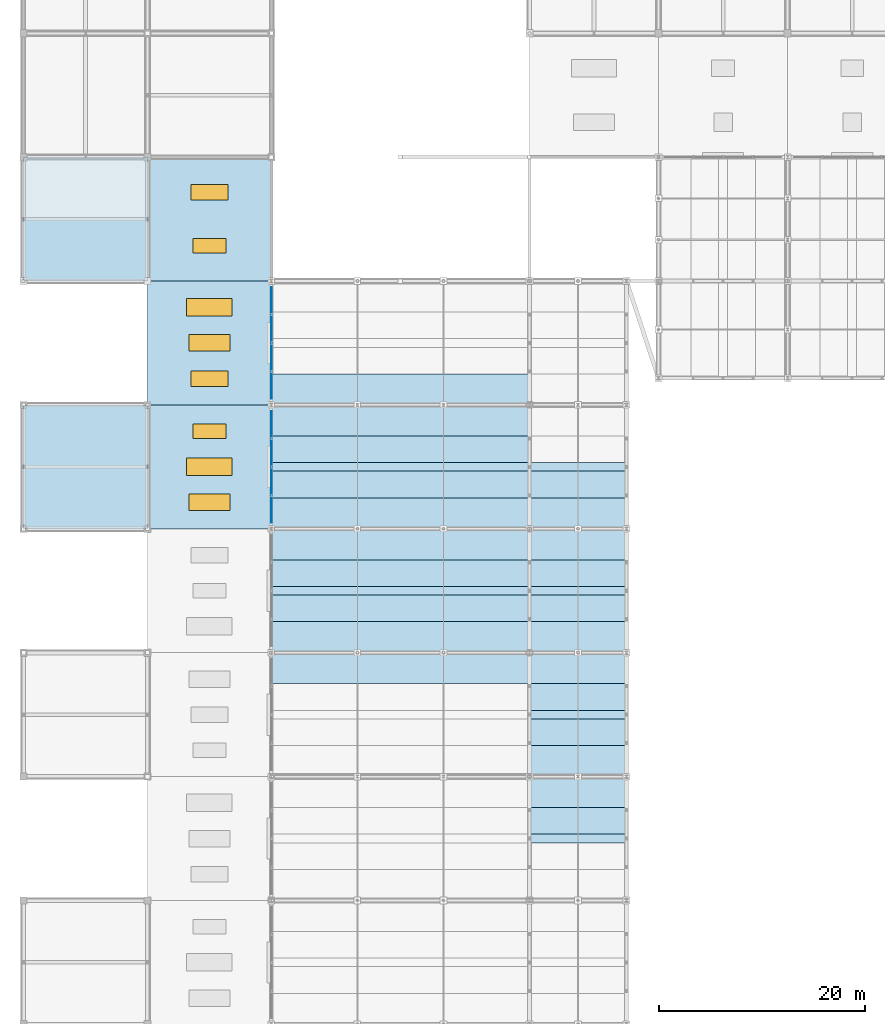
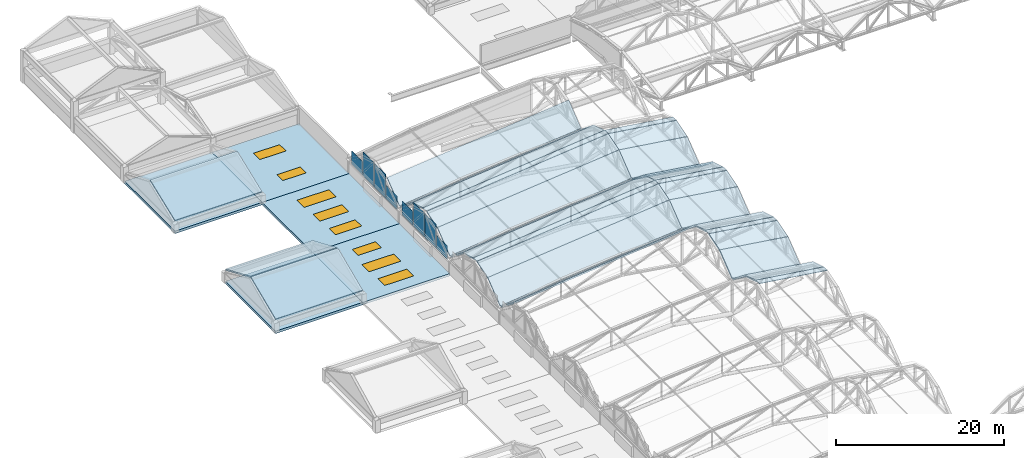
"""IFC4 building model written with IfcOpenShell, lengths in metres."""

from ifc_helpers import new_model, si_unit, direction, frame, origin, origin_2d, place, context, subcontext, project, spatial, polyline, rectangle, outline, extrude, material, layer, layer_set, type_object, element, fill, save


model = new_model("IFC4")

# Units and contexts
model_context = context("Model", 3, precision=1e-05, world=origin(), true_north=direction((0.0, 1.0)))
body_context = subcontext(model_context, "Body", "Model", "MODEL_VIEW")
ifc_project = project(units=[si_unit("LENGTHUNIT", "METRE"), si_unit("AREAUNIT", "SQUARE_METRE"), si_unit("VOLUMEUNIT", "CUBIC_METRE"), si_unit("PLANEANGLEUNIT", "RADIAN"), si_unit("MASSUNIT", "GRAM", prefix="KILO")], contexts=[model_context])

# Site, building, storey
site_placement = place(None, origin())
site = spatial("IfcSite", under=ifc_project, at=site_placement, CompositionType="ELEMENT")
building_placement = place(site_placement, origin())
building = spatial("IfcBuilding", under=site, at=building_placement, Name="Kazenohara Klinker Stadium", CompositionType="ELEMENT")
storey_1_placement = place(building_placement, frame((0.0, 0.0, 31.199951171875)))
storey_1 = spatial("IfcBuildingStorey", under=building, at=storey_1_placement, Name="RF", CompositionType="ELEMENT", Elevation=31.199951171875)

# Plates
ifc_material_1 = material(Name="Low-e laminated triple glazing", Category="glass")
ifc_layer_1 = layer(ifc_material_1, 0.0439453125)
ifc_layer_set_1 = layer_set([ifc_layer_1], Name="Low-e laminated triple glazing")
plate_type_1 = type_object("IfcPlateType", Name="PLT-GLZ-CLER", PredefinedType="USERDEFINED", material=ifc_layer_set_1)
plate_1_placement = place(storey_1_placement, frame((24.0, 109.889892578125, 1.650146484375), z_axis=(0.0, 0.0, 1.0), x_axis=(1.0, 0.0, 0.0)))
element("IfcPlate", 1, at=plate_1_placement, inside=storey_1, type_object=plate_type_1, Name="Arched barrel clerestory glazing panel CP02 W-06-Q1", ObjectType="CLERESTORY GLAZING", PredefinedType="USERDEFINED", context=body_context, shape_type="SweptSolid", body=[
    extrude(rectangle(XDim=0.0439453125, YDim=2.580078125, at=origin_2d()), origin(), (0.0, 0.0, 1.0), 2.0),
])
for number, where, z_axis, x_axis, name in (
    (2, (24.0, 112.6201171875, 1.650146484375), (0.0, 0.0, 1.0), (1.0, 0.0, 0.0), "Arched barrel clerestory glazing panel CP02 W-06-Q2"),
    (3, (24.0, 115.3798828125, 1.650146484375), (0.0, 0.0, 1.0), (1.0, 0.0, 0.0), "Arched barrel clerestory glazing panel CP02 W-06-Q3"),
):
    element("IfcPlate", number, at=place(storey_1_placement, frame(where, z_axis=z_axis, x_axis=x_axis)), inside=storey_1, type_object=plate_type_1, Name=name, ObjectType="CLERESTORY GLAZING", PredefinedType="USERDEFINED", context=body_context, shape_type="SweptSolid", body=[
        extrude(rectangle(XDim=0.0439453125, YDim=2.639892578125, at=origin_2d()), origin(), (0.0, 0.0, 1.0), 3.5),
    ])
for number, where, z_axis, x_axis, name in (
    (4, (24.0, 118.110107421875, 1.650146484375), (0.0, 0.0, 1.0), (1.0, 0.0, 0.0), "Arched barrel clerestory glazing panel CP02 W-06-Q4"),
    (5, (24.0, 121.889892578125, 1.650146484375), (0.0, 0.0, 1.0), (1.0, 0.0, 0.0), "Arched barrel clerestory glazing panel CP02 W-07-Q1"),
):
    element("IfcPlate", number, at=place(storey_1_placement, frame(where, z_axis=z_axis, x_axis=x_axis)), inside=storey_1, type_object=plate_type_1, Name=name, ObjectType="CLERESTORY GLAZING", PredefinedType="USERDEFINED", context=body_context, shape_type="SweptSolid", body=[
        extrude(rectangle(XDim=0.0439453125, YDim=2.580078125, at=origin_2d()), origin(), (0.0, 0.0, 1.0), 2.0),
    ])
for number, where, z_axis, x_axis, name in (
    (6, (24.0, 124.6201171875, 1.650146484375), (0.0, 0.0, 1.0), (1.0, 0.0, 0.0), "Arched barrel clerestory glazing panel CP02 W-07-Q2"),
    (7, (24.0, 127.3798828125, 1.650146484375), (0.0, 0.0, 1.0), (1.0, 0.0, 0.0), "Arched barrel clerestory glazing panel CP02 W-07-Q3"),
):
    element("IfcPlate", number, at=place(storey_1_placement, frame(where, z_axis=z_axis, x_axis=x_axis)), inside=storey_1, type_object=plate_type_1, Name=name, ObjectType="CLERESTORY GLAZING", PredefinedType="USERDEFINED", context=body_context, shape_type="SweptSolid", body=[
        extrude(rectangle(XDim=0.0439453125, YDim=2.639892578125, at=origin_2d()), origin(), (0.0, 0.0, 1.0), 3.5),
    ])
plate_2_placement = place(storey_1_placement, frame((24.0, 130.110107421875, 1.650146484375), z_axis=(0.0, 0.0, 1.0), x_axis=(1.0, 0.0, 0.0)))
element("IfcPlate", 8, at=plate_2_placement, inside=storey_1, type_object=plate_type_1, Name="Arched barrel clerestory glazing panel CP02 W-07-Q4", ObjectType="CLERESTORY GLAZING", PredefinedType="USERDEFINED", context=body_context, shape_type="SweptSolid", body=[
    extrude(rectangle(XDim=0.0439453125, YDim=2.580078125, at=origin_2d()), origin(), (0.0, 0.0, 1.0), 2.0),
])
ifc_material_2 = material(Name="Low-e laminated skylight triple glazing", Category="glass")
ifc_layer_2 = layer(ifc_material_2, 0.048095703125)
ifc_layer_set_2 = layer_set([ifc_layer_2], Name="Low-e laminated skylight triple glazing")
plate_type_2 = type_object("IfcPlateType", Name="PLT-GLZ-VALLEY", PredefinedType="USERDEFINED", material=ifc_layer_set_2)
for number, where, z_axis, x_axis, name in (
    (9, (49.0, 77.580078125, 8.219970703125), (0.142144768244, 0.0, 0.989845879347), (0.989845879347, 0.0, -0.142144768244), "Barrel-shell valley skylight glazing joint SKG1 W-03-IN"),
    (10, (49.0, 89.580078125, 8.219970703125), (0.142144768244, 0.0, 0.989845879347), (0.989845879347, 0.0, -0.142144768244), "Barrel-shell valley skylight glazing joint SKG1 W-04-IN"),
):
    element("IfcPlate", number, at=place(storey_1_placement, frame(where, z_axis=z_axis, x_axis=x_axis)), inside=storey_1, type_object=plate_type_2, Name=name, ObjectType="SKYLIGHT GLAZING", PredefinedType="USERDEFINED", context=body_context, shape_type="SweptSolid", body=[
        extrude(outline(polyline([(0.0, 0.0), (9.496329216369972, 0.0), (9.496329216369972, 0.83984375), (0.0, 0.83984375), (0.0, 0.0)])), origin(), (0.0, 0.0, -1.0), 0.048095703125),
    ])
plate_3_placement = place(storey_1_placement, frame((24.0, 101.580078125, 5.670166015625), z_axis=(-0.101465808577, 0.0, 0.994839027024), x_axis=(0.994839027024, 0.0, 0.101465808577)))
element("IfcPlate", 11, at=plate_3_placement, inside=storey_1, type_object=plate_type_2, Name="Barrel-shell valley skylight glazing joint SKG1 W-05-OUT", ObjectType="SKYLIGHT GLAZING", PredefinedType="USERDEFINED", context=body_context, shape_type="SweptSolid", body=[
    extrude(outline(polyline([(0.0, 0.0), (25.129693669927555, 0.0), (25.129693669927555, 0.8398437499999999), (0.0, 0.8398437499999999), (0.0, 0.0)])), origin(), (0.0, 0.0, -1.0), 0.048095703125),
])
plate_4_placement = place(storey_1_placement, frame((49.0, 101.580078125, 8.219970703125), z_axis=(0.142144768244, 0.0, 0.989845879347), x_axis=(0.989845879347, 0.0, -0.142144768244)))
element("IfcPlate", 12, at=plate_4_placement, inside=storey_1, type_object=plate_type_2, Name="Barrel-shell valley skylight glazing joint SKG1 W-05-IN", ObjectType="SKYLIGHT GLAZING", PredefinedType="USERDEFINED", context=body_context, shape_type="SweptSolid", body=[
    extrude(outline(polyline([(0.0, 0.0), (9.496329216369972, 0.0), (9.496329216369972, 0.83984375), (0.0, 0.83984375), (0.0, 0.0)])), origin(), (0.0, 0.0, -1.0), 0.048095703125),
])
plate_5_placement = place(storey_1_placement, frame((24.0, 113.580078125, 5.670166015625), z_axis=(-0.101465808577, 0.0, 0.994839027024), x_axis=(0.994839027024, 0.0, 0.101465808577)))
element("IfcPlate", 13, at=plate_5_placement, inside=storey_1, type_object=plate_type_2, Name="Barrel-shell valley skylight glazing joint SKG1 W-06-OUT", ObjectType="SKYLIGHT GLAZING", PredefinedType="USERDEFINED", context=body_context, shape_type="SweptSolid", body=[
    extrude(outline(polyline([(0.0, 0.0), (25.129693669927555, 0.0), (25.129693669927555, 0.8398437499999999), (0.0, 0.8398437499999999), (0.0, 0.0)])), origin(), (0.0, 0.0, -1.0), 0.048095703125),
])
plate_6_placement = place(storey_1_placement, frame((49.0, 113.580078125, 8.219970703125), z_axis=(0.142144768244, 0.0, 0.989845879347), x_axis=(0.989845879347, 0.0, -0.142144768244)))
element("IfcPlate", 14, at=plate_6_placement, inside=storey_1, type_object=plate_type_2, Name="Barrel-shell valley skylight glazing joint SKG1 W-06-IN", ObjectType="SKYLIGHT GLAZING", PredefinedType="USERDEFINED", context=body_context, shape_type="SweptSolid", body=[
    extrude(outline(polyline([(0.0, 0.0), (9.496329216369972, 0.0), (9.496329216369972, 0.83984375), (0.0, 0.83984375), (0.0, 0.0)])), origin(), (0.0, 0.0, -1.0), 0.048095703125),
])

# Slabs
ifc_material_3 = material(Name="Steel S355", Category="steel")
ifc_layer_3 = layer(ifc_material_3, 0.18994140625)
ifc_layer_set_3 = layer_set([ifc_layer_3], Name="Steel S355")
slab_type_1 = type_object("IfcSlabType", Name="SLB-ROOF-190", PredefinedType="ROOF", material=ifc_layer_set_3)
for number, where, z_axis, x_axis, name in (
    (15, (0.0, 108.0, 1.77001953125), (0.0, -0.394201684587, 0.919023956091), (1.0, 0.0, 0.0), "Pitched turret crown roof slab RS03 WBST-09-A"),
    (16, (0.0, 114.054931640625, 4.320068359375), (0.0, 0.394201684587, 0.919023956091), (1.0, 0.0, 0.0), "Pitched turret crown roof slab RS03 WBST-09-B"),
):
    element("IfcSlab", number, at=place(storey_1_placement, frame(where, z_axis=z_axis, x_axis=x_axis)), inside=storey_1, type_object=slab_type_1, Name=name, PredefinedType="ROOF", context=body_context, shape_type="SweptSolid", body=[
        extrude(outline(polyline([(0.0, 0.0), (12.0, 0.0), (12.0, 6.468893786688991), (0.0, 6.468893786688991), (0.0, 0.0)])), origin(), (0.0, 0.0, -1.0), 0.18994140625),
    ])
slab_1_placement = place(storey_1_placement, frame((0.0, 132.0, 1.570068359375), z_axis=(0.0, -0.360821106656, 0.932635045981), x_axis=(1.0, 0.0, 0.0)))
element("IfcSlab", 17, at=slab_1_placement, inside=storey_1, type_object=slab_type_1, Name="Pitched turret crown roof slab RS03 WBST-11-A", PredefinedType="ROOF", context=body_context, shape_type="SweptSolid", body=[
    extrude(outline(polyline([(0.0, 0.0), (12.0, 0.0), (12.0, 6.37448526623138), (0.0, 6.37448526623138), (0.0, 0.0)])), origin(), (0.0, 0.0, -1.0), 0.18994140625),
])
slab_2_placement = place(storey_1_placement, frame((49.0, 78.384033203125, 8.219970703125), z_axis=(0.136061259308, 0.289700944037, 0.947396800047), x_axis=(0.989844222428, -3.528061e-06, -0.142156305924)))
element("IfcSlab", 18, at=slab_2_placement, inside=storey_1, type_object=slab_type_1, Name="Scalloped barrel-arch canopy slab W-03 inner strip 3", PredefinedType="ROOF", context=body_context, shape_type="SweptSolid", body=[
    extrude(outline(polyline([(0.0, 0.0), (9.496329215665769, 1.1102230246251565e-16), (9.61005197233993, 2.7332082853263064), (0.11368805054478547, 2.7331382757350666), (0.0, 0.0)])), origin(), (0.0, 0.0, -1.0), 0.18994140625),
])
slab_3_placement = place(storey_1_placement, frame((49.0, 81.0, 7.420166015625), z_axis=(0.111454741468, 0.620818608848, 0.775991040871), x_axis=(0.989842261755, 0.0, -0.1421699576)))
element("IfcSlab", 19, at=slab_3_placement, inside=storey_1, type_object=slab_type_1, Name="Scalloped barrel-arch canopy slab W-03 inner strip 4", PredefinedType="ROOF", context=body_context, shape_type="SweptSolid", body=[
    extrude(outline(polyline([(0.0, 0.0), (9.496363922757409, 0.0), (9.830754882600127, 3.750144135328325), (0.33439095984271777, 3.750144135328325), (0.0, 0.0)])), origin(), (0.0, 0.0, -1.0), 0.18994140625),
])
slab_4_placement = place(storey_1_placement, frame((49.0, 84.06005859375, 5.068115234375), z_axis=(0.111454741468, -0.620818608848, 0.775991040871), x_axis=(0.989842261755, 0.0, -0.1421699576)))
element("IfcSlab", 20, at=slab_4_placement, inside=storey_1, type_object=slab_type_1, Name="Scalloped barrel-arch canopy slab W-04 inner strip 1", PredefinedType="ROOF", context=body_context, shape_type="SweptSolid", body=[
    extrude(outline(polyline([(0.0, 0.0), (9.496363922757409, 0.0), (9.16197296291469, 3.750144135328325), (-0.33439095984271777, 3.750144135328325), (0.0, 0.0)])), origin(), (0.0, 0.0, -1.0), 0.18994140625),
])
slab_5_placement = place(storey_1_placement, frame((49.0, 87.0, 7.420166015625), z_axis=(0.136061259308, -0.289700944037, 0.947396800047), x_axis=(0.989843918815, -3.528048e-06, -0.142158419982)))
element("IfcSlab", 21, at=slab_5_placement, inside=storey_1, type_object=slab_type_1, Name="Scalloped barrel-arch canopy slab W-04 inner strip 2", PredefinedType="ROOF", context=body_context, shape_type="SweptSolid", body=[
    extrude(outline(polyline([(0.0, 0.0), (9.49636392205321, 0.0), (9.382621015480932, 2.733207446859171), (-0.11370819992677195, 2.733137437523795), (0.0, 0.0)])), origin(), (0.0, 0.0, -1.0), 0.18994140625),
])
slab_6_placement = place(storey_1_placement, frame((49.0, 90.384033203125, 8.219970703125), z_axis=(0.136061259308, 0.289700944037, 0.947396800047), x_axis=(0.989844222428, -3.528061e-06, -0.142156305924)))
element("IfcSlab", 22, at=slab_6_placement, inside=storey_1, type_object=slab_type_1, Name="Scalloped barrel-arch canopy slab W-04 inner strip 3", PredefinedType="ROOF", context=body_context, shape_type="SweptSolid", body=[
    extrude(outline(polyline([(0.0, 0.0), (9.496329215665769, 1.1102230246251565e-16), (9.61005197233993, 2.7332082853263064), (0.11368805054478547, 2.7331382757350666), (0.0, 0.0)])), origin(), (0.0, 0.0, -1.0), 0.18994140625),
])
slab_7_placement = place(storey_1_placement, frame((24.0, 93.0, 4.8701171875), z_axis=(-0.079397405078, 0.622738677702, 0.778391027287), x_axis=(0.994838046303, 0.0, 0.101475423766)))
element("IfcSlab", 23, at=slab_7_placement, inside=storey_1, type_object=slab_type_1, Name="Scalloped barrel-arch canopy slab W-04 outer strip 4", PredefinedType="ROOF", context=body_context, shape_type="SweptSolid", body=[
    extrude(outline(polyline([(0.0, 0.0), (25.129718443027205, 0.0), (24.891043093280846, 3.7574502561158964), (-0.2386753497463593, 3.757450256115897), (0.0, 0.0)])), origin(), (0.0, 0.0, -1.0), 0.18994140625),
])
slab_8_placement = place(storey_1_placement, frame((49.0, 93.0, 7.420166015625), z_axis=(0.111454741468, 0.620818608848, 0.775991040871), x_axis=(0.989842261755, 0.0, -0.1421699576)))
element("IfcSlab", 24, at=slab_8_placement, inside=storey_1, type_object=slab_type_1, Name="Scalloped barrel-arch canopy slab W-04 inner strip 4", PredefinedType="ROOF", context=body_context, shape_type="SweptSolid", body=[
    extrude(outline(polyline([(0.0, 0.0), (9.496363922757409, 0.0), (9.830754882600127, 3.750144135328325), (0.33439095984271777, 3.750144135328325), (0.0, 0.0)])), origin(), (0.0, 0.0, -1.0), 0.18994140625),
])
slab_9_placement = place(storey_1_placement, frame((24.0, 96.06005859375, 2.51806640625), z_axis=(-0.079397405078, -0.622738677702, 0.778391027287), x_axis=(0.994838046303, 0.0, 0.101475423766)))
element("IfcSlab", 25, at=slab_9_placement, inside=storey_1, type_object=slab_type_1, Name="Scalloped barrel-arch canopy slab W-05 outer strip 1", PredefinedType="ROOF", context=body_context, shape_type="SweptSolid", body=[
    extrude(outline(polyline([(0.0, 0.0), (25.129718443027205, 0.0), (25.368393792773563, 3.757450256115897), (0.2386753497463593, 3.757450256115897), (0.0, 0.0)])), origin(), (0.0, 0.0, -1.0), 0.18994140625),
])
slab_10_placement = place(storey_1_placement, frame((49.0, 96.06005859375, 5.068115234375), z_axis=(0.111454741468, -0.620818608848, 0.775991040871), x_axis=(0.989842261755, 0.0, -0.1421699576)))
element("IfcSlab", 26, at=slab_10_placement, inside=storey_1, type_object=slab_type_1, Name="Scalloped barrel-arch canopy slab W-05 inner strip 1", PredefinedType="ROOF", context=body_context, shape_type="SweptSolid", body=[
    extrude(outline(polyline([(0.0, 0.0), (9.496363922757409, 0.0), (9.16197296291469, 3.750144135328325), (-0.33439095984271777, 3.750144135328325), (0.0, 0.0)])), origin(), (0.0, 0.0, -1.0), 0.18994140625),
])
slab_11_placement = place(storey_1_placement, frame((24.0, 99.0, 4.8701171875), z_axis=(-0.097078068979, -0.291039160051, 0.951773111535), x_axis=(0.994838495138, 1.345573e-06, 0.101471023396)))
element("IfcSlab", 27, at=slab_11_placement, inside=storey_1, type_object=slab_type_1, Name="Scalloped barrel-arch canopy slab W-05 outer strip 2", PredefinedType="ROOF", context=body_context, shape_type="SweptSolid", body=[
    extrude(outline(polyline([(0.0, 0.0), (25.129718442758627, 0.0), (25.210878962890696, 2.7342974924050907), (0.08118529333114288, 2.734368180107577), (0.0, 0.0)])), origin(), (0.0, 0.0, -1.0), 0.18994140625),
])
slab_12_placement = place(storey_1_placement, frame((49.0, 99.0, 7.420166015625), z_axis=(0.136061259308, -0.289700944037, 0.947396800047), x_axis=(0.989843918815, -3.528048e-06, -0.142158419982)))
element("IfcSlab", 28, at=slab_12_placement, inside=storey_1, type_object=slab_type_1, Name="Scalloped barrel-arch canopy slab W-05 inner strip 2", PredefinedType="ROOF", context=body_context, shape_type="SweptSolid", body=[
    extrude(outline(polyline([(0.0, 0.0), (9.49636392205321, 0.0), (9.382621015480932, 2.733207446859171), (-0.11370819992677195, 2.733137437523795), (0.0, 0.0)])), origin(), (0.0, 0.0, -1.0), 0.18994140625),
])
slab_13_placement = place(storey_1_placement, frame((24.0, 102.384033203125, 5.670166015625), z_axis=(-0.097078068979, 0.291039160051, 0.951773111535), x_axis=(0.994838578209, 1.345574e-06, 0.101470208953)))
element("IfcSlab", 29, at=slab_13_placement, inside=storey_1, type_object=slab_type_1, Name="Scalloped barrel-arch canopy slab W-05 outer strip 3", PredefinedType="ROOF", context=body_context, shape_type="SweptSolid", body=[
    extrude(outline(polyline([(0.0, 0.0), (25.12969366965898, -1.1102230246251565e-16), (25.04854084087477, 2.734297720691951), (-0.08117760178444054, 2.734368408464122), (0.0, 0.0)])), origin(), (0.0, 0.0, -1.0), 0.18994140625),
])
slab_14_placement = place(storey_1_placement, frame((49.0, 102.384033203125, 8.219970703125), z_axis=(0.136061259308, 0.289700944037, 0.947396800047), x_axis=(0.989844222428, -3.528061e-06, -0.142156305924)))
element("IfcSlab", 30, at=slab_14_placement, inside=storey_1, type_object=slab_type_1, Name="Scalloped barrel-arch canopy slab W-05 inner strip 3", PredefinedType="ROOF", context=body_context, shape_type="SweptSolid", body=[
    extrude(outline(polyline([(0.0, 0.0), (9.496329215665769, 1.1102230246251565e-16), (9.61005197233993, 2.7332082853263064), (0.11368805054478547, 2.7331382757350666), (0.0, 0.0)])), origin(), (0.0, 0.0, -1.0), 0.18994140625),
])
slab_15_placement = place(storey_1_placement, frame((24.0, 105.0, 4.8701171875), z_axis=(-0.079397405078, 0.622738677702, 0.778391027287), x_axis=(0.994838046303, 0.0, 0.101475423766)))
element("IfcSlab", 31, at=slab_15_placement, inside=storey_1, type_object=slab_type_1, Name="Scalloped barrel-arch canopy slab W-05 outer strip 4", PredefinedType="ROOF", context=body_context, shape_type="SweptSolid", body=[
    extrude(outline(polyline([(0.0, 0.0), (25.129718443027205, 0.0), (24.891043093280846, 3.7574502561158964), (-0.2386753497463593, 3.757450256115897), (0.0, 0.0)])), origin(), (0.0, 0.0, -1.0), 0.18994140625),
])
slab_16_placement = place(storey_1_placement, frame((49.0, 105.0, 7.420166015625), z_axis=(0.111454741468, 0.620818608848, 0.775991040871), x_axis=(0.989842261755, 0.0, -0.1421699576)))
element("IfcSlab", 32, at=slab_16_placement, inside=storey_1, type_object=slab_type_1, Name="Scalloped barrel-arch canopy slab W-05 inner strip 4", PredefinedType="ROOF", context=body_context, shape_type="SweptSolid", body=[
    extrude(outline(polyline([(0.0, 0.0), (9.496363922757409, 0.0), (9.830754882600127, 3.750144135328325), (0.33439095984271777, 3.750144135328325), (0.0, 0.0)])), origin(), (0.0, 0.0, -1.0), 0.18994140625),
])
slab_17_placement = place(storey_1_placement, frame((24.0, 108.06005859375, 2.51806640625), z_axis=(-0.079397405078, -0.622738677702, 0.778391027287), x_axis=(0.994838046303, 0.0, 0.101475423766)))
element("IfcSlab", 33, at=slab_17_placement, inside=storey_1, type_object=slab_type_1, Name="Scalloped barrel-arch canopy slab W-06 outer strip 1", PredefinedType="ROOF", context=body_context, shape_type="SweptSolid", body=[
    extrude(outline(polyline([(0.0, 0.0), (25.129718443027205, 0.0), (25.368393792773563, 3.757450256115897), (0.2386753497463593, 3.757450256115897), (0.0, 0.0)])), origin(), (0.0, 0.0, -1.0), 0.18994140625),
])
slab_18_placement = place(storey_1_placement, frame((49.0, 108.06005859375, 5.068115234375), z_axis=(0.111454741468, -0.620818608848, 0.775991040871), x_axis=(0.989842261755, 0.0, -0.1421699576)))
element("IfcSlab", 34, at=slab_18_placement, inside=storey_1, type_object=slab_type_1, Name="Scalloped barrel-arch canopy slab W-06 inner strip 1", PredefinedType="ROOF", context=body_context, shape_type="SweptSolid", body=[
    extrude(outline(polyline([(0.0, 0.0), (9.496363922757409, 0.0), (9.16197296291469, 3.750144135328325), (-0.33439095984271777, 3.750144135328325), (0.0, 0.0)])), origin(), (0.0, 0.0, -1.0), 0.18994140625),
])
slab_19_placement = place(storey_1_placement, frame((24.0, 111.0, 4.8701171875), z_axis=(-0.097078068979, -0.291039160051, 0.951773111535), x_axis=(0.994838495138, 1.345573e-06, 0.101471023396)))
element("IfcSlab", 35, at=slab_19_placement, inside=storey_1, type_object=slab_type_1, Name="Scalloped barrel-arch canopy slab W-06 outer strip 2", PredefinedType="ROOF", context=body_context, shape_type="SweptSolid", body=[
    extrude(outline(polyline([(0.0, 0.0), (25.129718442758627, 0.0), (25.210878962890696, 2.7342974924050907), (0.08118529333114288, 2.734368180107577), (0.0, 0.0)])), origin(), (0.0, 0.0, -1.0), 0.18994140625),
])
slab_20_placement = place(storey_1_placement, frame((49.0, 111.0, 7.420166015625), z_axis=(0.136061259308, -0.289700944037, 0.947396800047), x_axis=(0.989843918815, -3.528048e-06, -0.142158419982)))
element("IfcSlab", 36, at=slab_20_placement, inside=storey_1, type_object=slab_type_1, Name="Scalloped barrel-arch canopy slab W-06 inner strip 2", PredefinedType="ROOF", context=body_context, shape_type="SweptSolid", body=[
    extrude(outline(polyline([(0.0, 0.0), (9.49636392205321, 0.0), (9.382621015480932, 2.733207446859171), (-0.11370819992677195, 2.733137437523795), (0.0, 0.0)])), origin(), (0.0, 0.0, -1.0), 0.18994140625),
])
slab_21_placement = place(storey_1_placement, frame((24.0, 114.384033203125, 5.670166015625), z_axis=(-0.097078068979, 0.291039160051, 0.951773111535), x_axis=(0.994838578209, 1.345574e-06, 0.101470208953)))
element("IfcSlab", 37, at=slab_21_placement, inside=storey_1, type_object=slab_type_1, Name="Scalloped barrel-arch canopy slab W-06 outer strip 3", PredefinedType="ROOF", context=body_context, shape_type="SweptSolid", body=[
    extrude(outline(polyline([(0.0, 0.0), (25.12969366965898, -1.1102230246251565e-16), (25.04854084087477, 2.734297720691951), (-0.08117760178444054, 2.734368408464122), (0.0, 0.0)])), origin(), (0.0, 0.0, -1.0), 0.18994140625),
])
slab_22_placement = place(storey_1_placement, frame((24.0, 117.0, 4.8701171875), z_axis=(-0.079397405078, 0.622738677702, 0.778391027287), x_axis=(0.994838046303, 0.0, 0.101475423766)))
element("IfcSlab", 38, at=slab_22_placement, inside=storey_1, type_object=slab_type_1, Name="Scalloped barrel-arch canopy slab W-06 outer strip 4", PredefinedType="ROOF", context=body_context, shape_type="SweptSolid", body=[
    extrude(outline(polyline([(0.0, 0.0), (25.129718443027205, 0.0), (24.891043093280846, 3.7574502561158964), (-0.2386753497463593, 3.757450256115897), (0.0, 0.0)])), origin(), (0.0, 0.0, -1.0), 0.18994140625),
])
slab_23_placement = place(storey_1_placement, frame((24.0, 120.06005859375, 2.51806640625), z_axis=(-0.079397405078, -0.622738677702, 0.778391027287), x_axis=(0.994838046303, 0.0, 0.101475423766)))
element("IfcSlab", 39, at=slab_23_placement, inside=storey_1, type_object=slab_type_1, Name="Scalloped barrel-arch canopy slab W-07 outer strip 1", PredefinedType="ROOF", context=body_context, shape_type="SweptSolid", body=[
    extrude(outline(polyline([(0.0, 0.0), (25.129718443027205, 0.0), (25.368393792773563, 3.757450256115897), (0.2386753497463593, 3.757450256115897), (0.0, 0.0)])), origin(), (0.0, 0.0, -1.0), 0.18994140625),
])
ifc_material_4 = material(Name="Concrete C40/50", Category="concrete")
ifc_layer_4 = layer(ifc_material_4, 0.360107421875)
ifc_layer_set_4 = layer_set([ifc_layer_4], Name="Concrete C40/50")
slab_type_2 = type_object("IfcSlabType", Name="SLB-ROOF-360", PredefinedType="ROOF", material=ifc_layer_set_4)
slab_24_placement = place(storey_1_placement, frame((0.0, 0.0, -0.35986328125)))
element("IfcSlab", 40, at=slab_24_placement, inside=storey_1, type_object=slab_type_2, Name="Main roof deck slab RS01 RF 1/K", PredefinedType="ROOF", context=body_context, shape_type="SweptSolid", body=[
    extrude(outline(polyline([(0.0, 108.0), (12.0, 108.0), (12.0, 120.0), (0.0, 120.0), (0.0, 108.0)])), origin(), (0.0, 0.0, 1.0), 0.35986328125),
])
slab_25_placement = place(storey_1_placement, frame((0.0, 0.0, -0.35986328125)))
element("IfcSlab", 41, at=slab_25_placement, inside=storey_1, type_object=slab_type_2, Name="Main roof deck slab RS01 RF 1/M", PredefinedType="ROOF", context=body_context, shape_type="SweptSolid", body=[
    extrude(outline(polyline([(0.0, 132.0), (12.0, 132.0), (12.0, 144.0), (0.0, 144.0), (0.0, 132.0)])), origin(), (0.0, 0.0, 1.0), 0.35986328125),
])

# Slab, openings
slab_26_placement = place(storey_1_placement, frame((0.0, 0.0, -0.35986328125)))
slab_26 = element("IfcSlab", 42, at=slab_26_placement, inside=storey_1, type_object=slab_type_2, Name="Main roof deck slab RS01 RF 2/K", PredefinedType="ROOF", context=body_context, shape_type="SweptSolid", body=[
    extrude(outline(polyline([(12.0, 108.0), (24.0, 108.0), (24.0, 120.0), (12.0, 120.0), (12.0, 108.0)])), origin(), (0.0, 0.0, 1.0), 0.35986328125),
])
opening_1_placement = place(slab_26_placement, frame((18.0, 110.550048828125, 0.0)))
opening_1 = element("IfcOpeningElement", 43, at=opening_1_placement, cuts=slab_26, Name="Opening SK03", PredefinedType="OPENING", context=body_context, shape_type="SweptSolid", body=[
    extrude(rectangle(XDim=4.0, YDim=1.60009765625, at=origin_2d()), origin(), (0.0, 0.0, 1.0), 0.35986328125),
])
opening_2_placement = place(slab_26_placement, frame((18.0, 114.0, 0.0)))
opening_2 = element("IfcOpeningElement", 44, at=opening_2_placement, cuts=slab_26, Name="Opening SK04", PredefinedType="OPENING", context=body_context, shape_type="SweptSolid", body=[
    extrude(rectangle(XDim=4.39990234375, YDim=1.699951171875, at=origin_2d()), origin(), (0.0, 0.0, 1.0), 0.35986328125),
])
opening_3_placement = place(slab_26_placement, frame((18.0, 117.449951171875, 0.0)))
opening_3 = element("IfcOpeningElement", 45, at=opening_3_placement, cuts=slab_26, Name="Opening SK01", PredefinedType="OPENING", context=body_context, shape_type="SweptSolid", body=[
    extrude(rectangle(XDim=3.199951171875, YDim=1.39990234375, at=origin_2d()), origin(), (0.0, 0.0, 1.0), 0.35986328125),
])

# Storey
storey_2_placement = place(building_placement, frame((0.0, 0.0, 25.800048828125)))
storey_2 = spatial("IfcBuildingStorey", under=building, at=storey_2_placement, Name="L05", CompositionType="ELEMENT", Elevation=25.800048828125)

# Window
ifc_material_5 = material(Name="Thermally broken aluminium skylight glazing", Category="aluminium")
window_type_1 = type_object("IfcWindowType", Name="SKY-ARCH-01", PartitioningType="SINGLE_PANEL", PredefinedType="SKYLIGHT", material=ifc_material_5)
window_1_placement = place(opening_3_placement, frame((0.0, 0.0, 0.309814453125)))
window_1 = element("IfcWindow", 46, at=window_1_placement, inside=storey_2, type_object=window_type_1, Name="Media and press gallery roof skylight SK01-21", OverallHeight=1.39990234375, OverallWidth=3.199951171875, PartitioningType="SINGLE_PANEL", PredefinedType="SKYLIGHT", context=body_context, shape_type="SweptSolid", body=[
    extrude(rectangle(XDim=3.199951171875, YDim=1.39990234375, at=origin_2d()), origin(), (0.0, 0.0, 1.0), 0.050048828125),
])

fill(opening_3, window_1)

window_type_2 = type_object("IfcWindowType", Name="SKY-ARCH-03", PartitioningType="SINGLE_PANEL", PredefinedType="SKYLIGHT", material=ifc_material_5)
window_2_placement = place(opening_1_placement, frame((0.0, 0.0, 0.309814453125)))
window_2 = element("IfcWindow", 47, at=window_2_placement, inside=storey_2, type_object=window_type_2, Name="Media and press gallery roof skylight SK03-19", OverallHeight=1.60009765625, OverallWidth=4.0, PartitioningType="SINGLE_PANEL", PredefinedType="SKYLIGHT", context=body_context, shape_type="SweptSolid", body=[
    extrude(rectangle(XDim=4.0, YDim=1.60009765625, at=origin_2d()), origin(), (0.0, 0.0, 1.0), 0.050048828125),
])

fill(opening_1, window_2)

window_type_3 = type_object("IfcWindowType", Name="SKY-ARCH-04", PartitioningType="SINGLE_PANEL", PredefinedType="SKYLIGHT", material=ifc_material_5)
window_3_placement = place(opening_2_placement, frame((0.0, 0.0, 0.309814453125)))
window_3 = element("IfcWindow", 48, at=window_3_placement, inside=storey_2, type_object=window_type_3, Name="Media and press gallery roof skylight SK04-20", OverallHeight=1.699951171875, OverallWidth=4.39990234375, PartitioningType="SINGLE_PANEL", PredefinedType="SKYLIGHT", context=body_context, shape_type="SweptSolid", body=[
    extrude(rectangle(XDim=4.39990234375, YDim=1.699951171875, at=origin_2d()), origin(), (0.0, 0.0, 1.0), 0.050048828125),
])

fill(opening_2, window_3)

# Slab, openings, windows
slab_27_placement = place(storey_1_placement, frame((0.0, 0.0, -0.35986328125)))
slab_27 = element("IfcSlab", 49, at=slab_27_placement, inside=storey_1, type_object=slab_type_2, Name="Main roof deck slab RS01 RF 2/L", PredefinedType="ROOF", context=body_context, shape_type="SweptSolid", body=[
    extrude(outline(polyline([(12.0, 120.0), (24.0, 120.0), (24.0, 132.0), (12.0, 132.0), (12.0, 120.0)])), origin(), (0.0, 0.0, 1.0), 0.35986328125),
])
opening_4_placement = place(slab_27_placement, frame((18.0, 122.550048828125, 0.0)))
opening_4 = element("IfcOpeningElement", 50, at=opening_4_placement, cuts=slab_27, Name="Opening SK02", PredefinedType="OPENING", context=body_context, shape_type="SweptSolid", body=[
    extrude(rectangle(XDim=3.60009765625, YDim=1.5, at=origin_2d()), origin(), (0.0, 0.0, 1.0), 0.35986328125),
])
opening_5_placement = place(slab_27_placement, frame((18.0, 126.0, 0.0)))
opening_5 = element("IfcOpeningElement", 51, at=opening_5_placement, cuts=slab_27, Name="Opening SK03", PredefinedType="OPENING", context=body_context, shape_type="SweptSolid", body=[
    extrude(rectangle(XDim=4.0, YDim=1.60009765625, at=origin_2d()), origin(), (0.0, 0.0, 1.0), 0.35986328125),
])
opening_6_placement = place(slab_27_placement, frame((18.0, 129.449951171875, 0.0)))
opening_6 = element("IfcOpeningElement", 52, at=opening_6_placement, cuts=slab_27, Name="Opening SK04", PredefinedType="OPENING", context=body_context, shape_type="SweptSolid", body=[
    extrude(rectangle(XDim=4.39990234375, YDim=1.699951171875, at=origin_2d()), origin(), (0.0, 0.0, 1.0), 0.35986328125),
])
window_type_4 = type_object("IfcWindowType", Name="SKY-ARCH-02", PartitioningType="SINGLE_PANEL", PredefinedType="SKYLIGHT", material=ifc_material_5)
window_4_placement = place(opening_4_placement, frame((0.0, 0.0, 0.309814453125)))
window_4 = element("IfcWindow", 53, at=window_4_placement, inside=storey_2, type_object=window_type_4, Name="Media and press gallery roof skylight SK02-22", OverallHeight=1.5, OverallWidth=3.60009765625, PartitioningType="SINGLE_PANEL", PredefinedType="SKYLIGHT", context=body_context, shape_type="SweptSolid", body=[
    extrude(rectangle(XDim=3.60009765625, YDim=1.5, at=origin_2d()), origin(), (0.0, 0.0, 1.0), 0.050048828125),
])
fill(opening_4, window_4)
window_5_placement = place(opening_5_placement, frame((0.0, 0.0, 0.309814453125)))
window_5 = element("IfcWindow", 54, at=window_5_placement, inside=storey_2, type_object=window_type_2, Name="Media and press gallery roof skylight SK03-23", OverallHeight=1.60009765625, OverallWidth=4.0, PartitioningType="SINGLE_PANEL", PredefinedType="SKYLIGHT", context=body_context, shape_type="SweptSolid", body=[
    extrude(rectangle(XDim=4.0, YDim=1.60009765625, at=origin_2d()), origin(), (0.0, 0.0, 1.0), 0.050048828125),
])
fill(opening_5, window_5)
window_6_placement = place(opening_6_placement, frame((0.0, 0.0, 0.309814453125)))
window_6 = element("IfcWindow", 55, at=window_6_placement, inside=storey_2, type_object=window_type_3, Name="Media and press gallery roof skylight SK04-24", OverallHeight=1.699951171875, OverallWidth=4.39990234375, PartitioningType="SINGLE_PANEL", PredefinedType="SKYLIGHT", context=body_context, shape_type="SweptSolid", body=[
    extrude(rectangle(XDim=4.39990234375, YDim=1.699951171875, at=origin_2d()), origin(), (0.0, 0.0, 1.0), 0.050048828125),
])
fill(opening_6, window_6)

slab_28_placement = place(storey_1_placement, frame((0.0, 0.0, -0.35986328125)))
slab_28 = element("IfcSlab", 56, at=slab_28_placement, inside=storey_1, type_object=slab_type_2, Name="Main roof deck slab RS01 RF 2/M", PredefinedType="ROOF", context=body_context, shape_type="SweptSolid", body=[
    extrude(outline(polyline([(12.0, 132.0), (24.0, 132.0), (24.0, 144.0), (12.0, 144.0), (12.0, 132.0)])), origin(), (0.0, 0.0, 1.0), 0.35986328125),
])
opening_7_placement = place(slab_28_placement, frame((18.0, 135.39990234375, 0.0)))
opening_7 = element("IfcOpeningElement", 57, at=opening_7_placement, cuts=slab_28, Name="Opening SK01", PredefinedType="OPENING", context=body_context, shape_type="SweptSolid", body=[
    extrude(rectangle(XDim=3.199951171875, YDim=1.39990234375, at=origin_2d()), origin(), (0.0, 0.0, 1.0), 0.35986328125),
])
opening_8_placement = place(slab_28_placement, frame((18.0, 140.60009765625, 0.0)))
opening_8 = element("IfcOpeningElement", 58, at=opening_8_placement, cuts=slab_28, Name="Opening SK02", PredefinedType="OPENING", context=body_context, shape_type="SweptSolid", body=[
    extrude(rectangle(XDim=3.60009765625, YDim=1.5, at=origin_2d()), origin(), (0.0, 0.0, 1.0), 0.35986328125),
])
window_7_placement = place(opening_7_placement, frame((0.0, 0.0, 0.309814453125)))
window_7 = element("IfcWindow", 59, at=window_7_placement, inside=storey_2, type_object=window_type_1, Name="Media and press gallery roof skylight SK01-25", OverallHeight=1.39990234375, OverallWidth=3.199951171875, PartitioningType="SINGLE_PANEL", PredefinedType="SKYLIGHT", context=body_context, shape_type="SweptSolid", body=[
    extrude(rectangle(XDim=3.199951171875, YDim=1.39990234375, at=origin_2d()), origin(), (0.0, 0.0, 1.0), 0.050048828125),
])
fill(opening_7, window_7)
window_8_placement = place(opening_8_placement, frame((0.0, 0.0, 0.309814453125)))
window_8 = element("IfcWindow", 60, at=window_8_placement, inside=storey_2, type_object=window_type_4, Name="Media and press gallery roof skylight SK02-26", OverallHeight=1.5, OverallWidth=3.60009765625, PartitioningType="SINGLE_PANEL", PredefinedType="SKYLIGHT", context=body_context, shape_type="SweptSolid", body=[
    extrude(rectangle(XDim=3.60009765625, YDim=1.5, at=origin_2d()), origin(), (0.0, 0.0, 1.0), 0.050048828125),
])
fill(opening_8, window_8)

save(model, "model.ifc")
